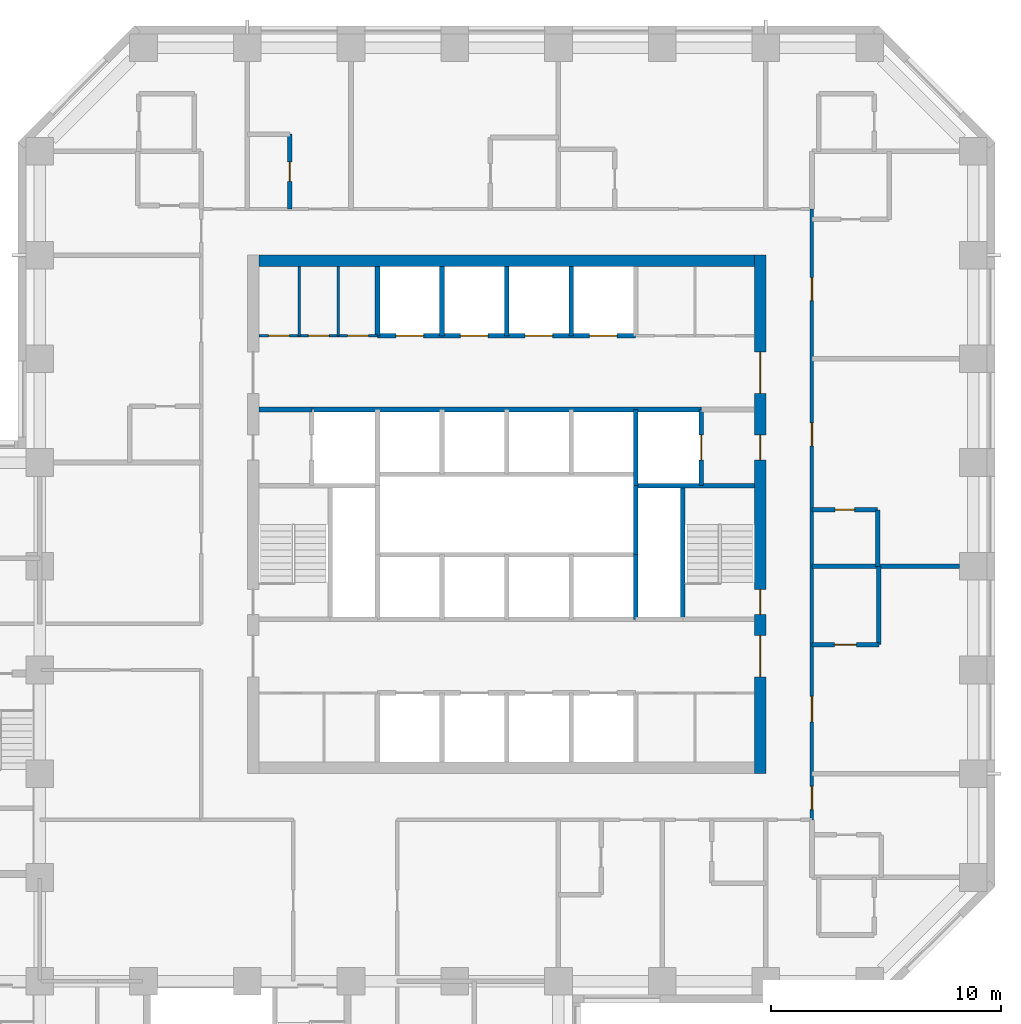
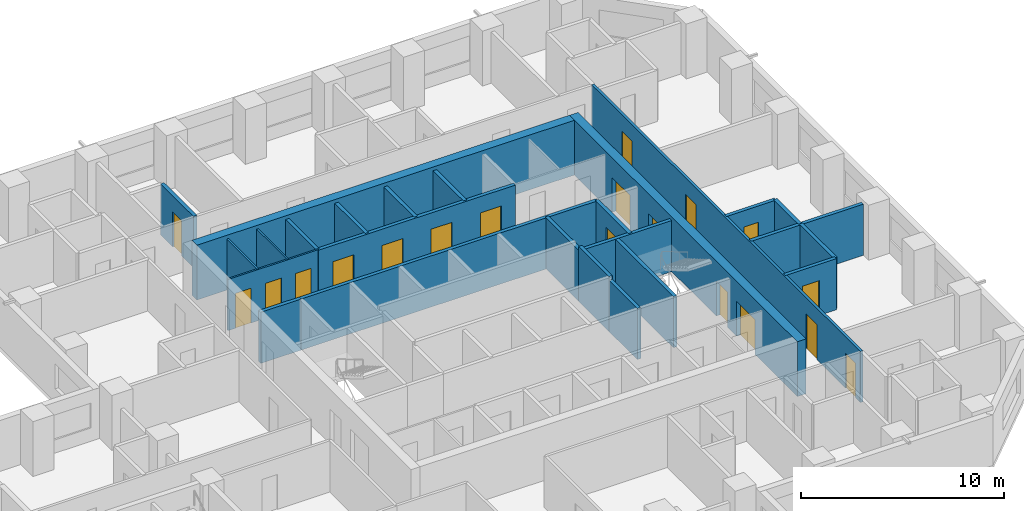
# One storey, part 9 of 13: 25 walls, 19 doors, 19 openings.
"""IFC4 building model written with IfcOpenShell, lengths in metres."""

from ifc_helpers import new_model, si_unit, direction, frame, frame_2d, origin, place, context, subcontext, project, spatial, rectangle, extrude, material, layer, layer_set, type_object, element, fill, save


model = new_model("IFC4")

# Units and contexts
model_context = context("Model", 3, precision=1e-05, world=origin(), true_north=direction((0.0, 1.0)))
body_context = subcontext(model_context, "Body", "Model", "MODEL_VIEW")
ifc_project = project(units=[si_unit("LENGTHUNIT", "METRE"), si_unit("AREAUNIT", "SQUARE_METRE"), si_unit("VOLUMEUNIT", "CUBIC_METRE"), si_unit("PLANEANGLEUNIT", "RADIAN"), si_unit("MASSUNIT", "GRAM", prefix="KILO")], contexts=[model_context])

# Site, building, storey
site_placement = place(None, origin())
site = spatial("IfcSite", under=ifc_project, at=site_placement, CompositionType="ELEMENT")
building_placement = place(site_placement, origin())
building = spatial("IfcBuilding", under=site, at=building_placement, Name="Quoin Convention Tower", CompositionType="ELEMENT")
storey_placement = place(building_placement, frame((0.0, 0.0, 49.5)))
storey = spatial("IfcBuildingStorey", under=building, at=storey_placement, Name="L12", CompositionType="ELEMENT", Elevation=49.5)

# Wall, openings, doors
ifc_material_1 = material(Name="Plasterboard")
ifc_layer_1 = layer(ifc_material_1, 0.012451171875, Name="Finish")
ifc_material_2 = material(Name="Steel stud framing", Category="steel")
ifc_layer_2 = layer(ifc_material_2, 0.074951171875, Name="Structure")
ifc_layer_3 = layer(ifc_material_1, 0.012451171875, Name="Finish")
ifc_layer_set_1 = layer_set([ifc_layer_1, ifc_layer_2, ifc_layer_3], Name="Steel stud framing")
wall_type_1 = type_object("IfcWallType", Name="Core partition wall", PredefinedType="PARTITIONING", material=ifc_layer_set_1)
wall_1_placement = place(storey_placement, frame((45.5, 68.5, 0.0), z_axis=(0.0, 0.0, 1.0), x_axis=(1.0, 0.0, 0.0)))
wall_1 = element("IfcWall", 1, at=wall_1_placement, inside=storey, type_object=wall_type_1, Name="cr-C1-L12-h19000_500", PredefinedType="PARTITIONING", context=body_context, shape_type="SweptSolid", body=[
    extrude(rectangle(XDim=5.14990234375, YDim=0.10009765625, at=frame_2d((2.574951171875, 0.0))), origin(), (0.0, 0.0, 1.0), 3.080078125),
])
opening_1_placement = place(wall_1_placement, frame((0.425537109375, 0.0, 0.0)))
opening_1 = element("IfcOpeningElement", 2, at=opening_1_placement, cuts=wall_1, Name="Opening DCV4-18", PredefinedType="OPENING", context=body_context, shape_type="SweptSolid", body=[
    extrude(rectangle(XDim=0.89990234375, YDim=2.10009765625, at=frame_2d((0.449951171875, 1.050048828125))), frame((0.0, 0.06005859375, 0.0), z_axis=(0.0, -1.0, 0.0), x_axis=(1.0, 0.0, 0.0)), (0.0, 0.0, 1.0), 0.1201171875),
])
opening_2_placement = place(wall_1_placement, frame((2.150634765625, 0.0, 0.0)))
opening_2 = element("IfcOpeningElement", 3, at=opening_2_placement, cuts=wall_1, Name="Opening DCV4-19", PredefinedType="OPENING", context=body_context, shape_type="SweptSolid", body=[
    extrude(rectangle(XDim=0.89990234375, YDim=2.10009765625, at=frame_2d((0.449951171875, 1.050048828125))), frame((0.0, 0.06005859375, 0.0), z_axis=(0.0, -1.0, 0.0), x_axis=(1.0, 0.0, 0.0)), (0.0, 0.0, 1.0), 0.1201171875),
])
opening_3_placement = place(wall_1_placement, frame((3.85009765625, 0.0, 0.0)))
opening_3 = element("IfcOpeningElement", 4, at=opening_3_placement, cuts=wall_1, Name="Opening DCV4-20", PredefinedType="OPENING", context=body_context, shape_type="SweptSolid", body=[
    extrude(rectangle(XDim=0.89990234375, YDim=2.10009765625, at=frame_2d((0.449951171875, 1.050048828125))), frame((0.0, 0.06005859375, 0.0), z_axis=(0.0, -1.0, 0.0), x_axis=(1.0, 0.0, 0.0)), (0.0, 0.0, 1.0), 0.1201171875),
])
ifc_material_3 = material(Name="Steel door leaf", Category="steel")
door_type_1 = type_object("IfcDoorType", Name="Core room door 900 x 2100", OperationType="SINGLE_SWING_LEFT", PredefinedType="DOOR", material=ifc_material_3)
door_1_placement = place(opening_1_placement, origin())
door_1 = element("IfcDoor", 5, at=door_1_placement, inside=storey, type_object=door_type_1, Name="cd-C1-L12-CNW0-lobB-CD1209", OperationType="SINGLE_SWING_RIGHT", OverallHeight=2.10009765625, OverallWidth=0.89990234375, PredefinedType="DOOR", context=body_context, shape_type="SweptSolid", body=[
    extrude(rectangle(XDim=0.89990234375, YDim=2.10009765625, at=frame_2d((0.449951171875, 1.050048828125))), frame((0.0, 0.02490234375, 0.0), z_axis=(0.0, -1.0, 0.0), x_axis=(1.0, 0.0, 0.0)), (0.0, 0.0, 1.0), 0.050048828125),
])
fill(opening_1, door_1)
door_2_placement = place(opening_2_placement, origin())
door_2 = element("IfcDoor", 6, at=door_2_placement, inside=storey, type_object=door_type_1, Name="cd-C1-L12-CNW1-lobB-CD1210", OperationType="SINGLE_SWING_RIGHT", OverallHeight=2.10009765625, OverallWidth=0.89990234375, PredefinedType="DOOR", context=body_context, shape_type="SweptSolid", body=[
    extrude(rectangle(XDim=0.89990234375, YDim=2.10009765625, at=frame_2d((0.449951171875, 1.050048828125))), frame((0.0, 0.02490234375, 0.0), z_axis=(0.0, -1.0, 0.0), x_axis=(1.0, 0.0, 0.0)), (0.0, 0.0, 1.0), 0.050048828125),
])
fill(opening_2, door_2)
door_3_placement = place(opening_3_placement, origin())
door_3 = element("IfcDoor", 7, at=door_3_placement, inside=storey, type_object=door_type_1, Name="cd-C1-L12-CNW2-lobB-CD1211", OperationType="SINGLE_SWING_RIGHT", OverallHeight=2.10009765625, OverallWidth=0.89990234375, PredefinedType="DOOR", context=body_context, shape_type="SweptSolid", body=[
    extrude(rectangle(XDim=0.89990234375, YDim=2.10009765625, at=frame_2d((0.449951171875, 1.050048828125))), frame((0.0, 0.02490234375, 0.0), z_axis=(0.0, -1.0, 0.0), x_axis=(1.0, 0.0, 0.0)), (0.0, 0.0, 1.0), 0.050048828125),
])
fill(opening_3, door_3)

# Walls
for number, where, z_axis, x_axis, name in (
    (8, (47.2509765625, 68.5, 0.0), (0.0, 0.0, 1.0), (0.0, 1.0, 0.0), "cr-C1-L12-v2251_19000"),
    (9, (48.950439453125, 68.5, 0.0), (0.0, 0.0, 1.0), (0.0, 1.0, 0.0), "cr-C1-L12-v3950_19000"),
):
    element("IfcWall", number, at=place(storey_placement, frame(where, z_axis=z_axis, x_axis=x_axis)), inside=storey, type_object=wall_type_1, Name=name, PredefinedType="PARTITIONING", context=body_context, shape_type="SweptSolid", body=[
        extrude(rectangle(XDim=3.0, YDim=0.10009765625, at=frame_2d((1.5, 0.0))), origin(), (0.0, 0.0, 1.0), 3.080078125),
    ])
ifc_material_4 = material(Name="Concrete C50", Category="concrete")
ifc_layer_4 = layer(ifc_material_4, 0.199951171875)
ifc_layer_set_2 = layer_set([ifc_layer_4], Name="Concrete C50")
wall_type_2 = type_object("IfcWallType", Name="Core shaft wall", PredefinedType="SOLIDWALL", material=ifc_layer_set_2)
wall_2_placement = place(storey_placement, frame((61.85009765625, 62.0, 0.0), z_axis=(0.0, 0.0, 1.0), x_axis=(1.0, 0.0, 0.0)))
element("IfcWall", 10, at=wall_2_placement, inside=storey, type_object=wall_type_2, Name="cr-C1-L12-h12500_16850", PredefinedType="SOLIDWALL", context=body_context, shape_type="SweptSolid", body=[
    extrude(rectangle(XDim=5.14990234375, YDim=0.199951171875, at=frame_2d((2.574951171875, 0.0))), origin(), (0.0, 0.0, 1.0), 3.080078125),
])
wall_3_placement = place(storey_placement, frame((45.5, 65.300048828125, 0.0), z_axis=(0.0, 0.0, 1.0), x_axis=(1.0, 0.0, 0.0)))
element("IfcWall", 11, at=wall_3_placement, inside=storey, type_object=wall_type_2, Name="cr-C1-L12-h15800_500", PredefinedType="SOLIDWALL", context=body_context, shape_type="SweptSolid", body=[
    extrude(rectangle(XDim=2.300048828125, YDim=0.199951171875, at=frame_2d((1.14990234375, 0.0))), origin(), (0.0, 0.0, 1.0), 3.080078125),
])
wall_4_placement = place(storey_placement, frame((47.800048828125, 65.300048828125, 0.0), z_axis=(0.0, 0.0, 1.0), x_axis=(1.0, 0.0, 0.0)))
element("IfcWall", 12, at=wall_4_placement, inside=storey, type_object=wall_type_2, Name="cr-C1-L12-h15800_2800", PredefinedType="SOLIDWALL", context=body_context, shape_type="SweptSolid", body=[
    extrude(rectangle(XDim=16.89990234375, YDim=0.199951171875, at=frame_2d((8.449951171875, 0.0))), origin(), (0.0, 0.0, 1.0), 3.080078125),
])

# Wall, openings, doors
wall_5_placement = place(storey_placement, frame((50.64990234375, 68.5, 0.0), z_axis=(0.0, 0.0, 1.0), x_axis=(1.0, 0.0, 0.0)))
wall_5 = element("IfcWall", 13, at=wall_5_placement, inside=storey, type_object=wall_type_2, Name="cr-C1-L12-h19000_5650", PredefinedType="SOLIDWALL", context=body_context, shape_type="SweptSolid", body=[
    extrude(rectangle(XDim=11.2001953125, YDim=0.199951171875, at=frame_2d((5.60009765625, 0.0))), origin(), (0.0, 0.0, 1.0), 3.080078125),
])
opening_4_placement = place(wall_5_placement, frame((0.800048828125, 0.0, 0.0)))
opening_4 = element("IfcOpeningElement", 14, at=opening_4_placement, cuts=wall_5, Name="Opening LDL5", PredefinedType="OPENING", context=body_context, shape_type="SweptSolid", body=[
    extrude(rectangle(XDim=1.199951171875, YDim=2.10009765625, at=frame_2d((0.60009765625, 1.050048828125))), frame((0.0, 0.10986328125, 0.0), z_axis=(0.0, -1.0, 0.0), x_axis=(1.0, 0.0, 0.0)), (0.0, 0.0, 1.0), 0.219970703125),
])
opening_5_placement = place(wall_5_placement, frame((3.60009765625, 0.0, 0.0)))
opening_5 = element("IfcOpeningElement", 15, at=opening_5_placement, cuts=wall_5, Name="Opening LDL6", PredefinedType="OPENING", context=body_context, shape_type="SweptSolid", body=[
    extrude(rectangle(XDim=1.199951171875, YDim=2.10009765625, at=frame_2d((0.60009765625, 1.050048828125))), frame((0.0, 0.10986328125, 0.0), z_axis=(0.0, -1.0, 0.0), x_axis=(1.0, 0.0, 0.0)), (0.0, 0.0, 1.0), 0.219970703125),
])
opening_6_placement = place(wall_5_placement, frame((6.39990234375, 0.0, 0.0)))
opening_6 = element("IfcOpeningElement", 16, at=opening_6_placement, cuts=wall_5, Name="Opening LDL7", PredefinedType="OPENING", context=body_context, shape_type="SweptSolid", body=[
    extrude(rectangle(XDim=1.199951171875, YDim=2.10009765625, at=frame_2d((0.60009765625, 1.050048828125))), frame((0.0, 0.10986328125, 0.0), z_axis=(0.0, -1.0, 0.0), x_axis=(1.0, 0.0, 0.0)), (0.0, 0.0, 1.0), 0.219970703125),
])
opening_7_placement = place(wall_5_placement, frame((9.199951171875, 0.0, 0.0)))
opening_7 = element("IfcOpeningElement", 17, at=opening_7_placement, cuts=wall_5, Name="Opening LDL8", PredefinedType="OPENING", context=body_context, shape_type="SweptSolid", body=[
    extrude(rectangle(XDim=1.199951171875, YDim=2.10009765625, at=frame_2d((0.60009765625, 1.050048828125))), frame((0.0, 0.10986328125, 0.0), z_axis=(0.0, -1.0, 0.0), x_axis=(1.0, 0.0, 0.0)), (0.0, 0.0, 1.0), 0.219970703125),
])
door_type_2 = type_object("IfcDoorType", Name="Lift landing door 1200 x 2100", OperationType="DOUBLE_DOOR_SLIDING", PredefinedType="DOOR", material=ifc_material_3)
door_4_placement = place(opening_4_placement, origin())
door_4 = element("IfcDoor", 18, at=door_4_placement, inside=storey, type_object=door_type_2, Name="cd-C1-L12-R40-lobB-LDL5", OperationType="DOUBLE_DOOR_SLIDING", OverallHeight=2.10009765625, OverallWidth=1.199951171875, PredefinedType="DOOR", context=body_context, shape_type="SweptSolid", body=[
    extrude(rectangle(XDim=1.199951171875, YDim=2.10009765625, at=frame_2d((0.60009765625, 1.050048828125))), frame((0.0, 0.02490234375, 0.0), z_axis=(0.0, -1.0, 0.0), x_axis=(1.0, 0.0, 0.0)), (0.0, 0.0, 1.0), 0.050048828125),
])
fill(opening_4, door_4)
door_5_placement = place(opening_5_placement, origin())
door_5 = element("IfcDoor", 19, at=door_5_placement, inside=storey, type_object=door_type_2, Name="cd-C1-L12-R41-lobB-LDL6", OperationType="DOUBLE_DOOR_SLIDING", OverallHeight=2.10009765625, OverallWidth=1.199951171875, PredefinedType="DOOR", context=body_context, shape_type="SweptSolid", body=[
    extrude(rectangle(XDim=1.199951171875, YDim=2.10009765625, at=frame_2d((0.60009765625, 1.050048828125))), frame((0.0, 0.02490234375, 0.0), z_axis=(0.0, -1.0, 0.0), x_axis=(1.0, 0.0, 0.0)), (0.0, 0.0, 1.0), 0.050048828125),
])
fill(opening_5, door_5)
door_6_placement = place(opening_6_placement, origin())
door_6 = element("IfcDoor", 20, at=door_6_placement, inside=storey, type_object=door_type_2, Name="cd-C1-L12-R42-lobB-LDL7", OperationType="DOUBLE_DOOR_SLIDING", OverallHeight=2.10009765625, OverallWidth=1.199951171875, PredefinedType="DOOR", context=body_context, shape_type="SweptSolid", body=[
    extrude(rectangle(XDim=1.199951171875, YDim=2.10009765625, at=frame_2d((0.60009765625, 1.050048828125))), frame((0.0, 0.02490234375, 0.0), z_axis=(0.0, -1.0, 0.0), x_axis=(1.0, 0.0, 0.0)), (0.0, 0.0, 1.0), 0.050048828125),
])
fill(opening_6, door_6)
door_7_placement = place(opening_7_placement, origin())
door_7 = element("IfcDoor", 21, at=door_7_placement, inside=storey, type_object=door_type_2, Name="cd-C1-L12-R43-lobB-LDL8", OperationType="DOUBLE_DOOR_SLIDING", OverallHeight=2.10009765625, OverallWidth=1.199951171875, PredefinedType="DOOR", context=body_context, shape_type="SweptSolid", body=[
    extrude(rectangle(XDim=1.199951171875, YDim=2.10009765625, at=frame_2d((0.60009765625, 1.050048828125))), frame((0.0, 0.02490234375, 0.0), z_axis=(0.0, -1.0, 0.0), x_axis=(1.0, 0.0, 0.0)), (0.0, 0.0, 1.0), 0.050048828125),
])
fill(opening_7, door_7)

# Walls
for number, where, z_axis, x_axis, name in (
    (22, (50.64990234375, 68.5, 0.0), (0.0, 0.0, 1.0), (0.0, 1.0, 0.0), "cr-C1-L12-v5650_19000"),
    (23, (53.449951171875, 68.5, 0.0), (0.0, 0.0, 1.0), (0.0, 1.0, 0.0), "cr-C1-L12-v8450_19000"),
    (24, (56.25, 68.5, 0.0), (0.0, 0.0, 1.0), (0.0, 1.0, 0.0), "cr-C1-L12-v11250_19000"),
    (25, (59.050048828125, 68.5, 0.0), (0.0, 0.0, 1.0), (0.0, 1.0, 0.0), "cr-C1-L12-v14050_19000"),
):
    element("IfcWall", number, at=place(storey_placement, frame(where, z_axis=z_axis, x_axis=x_axis)), inside=storey, type_object=wall_type_2, Name=name, PredefinedType="SOLIDWALL", context=body_context, shape_type="SweptSolid", body=[
        extrude(rectangle(XDim=3.0, YDim=0.199951171875, at=frame_2d((1.5, 0.0))), origin(), (0.0, 0.0, 1.0), 3.080078125),
    ])
wall_6_placement = place(storey_placement, frame((61.85009765625, 56.199951171875, 0.0), z_axis=(0.0, 0.0, 1.0), x_axis=(0.0, 1.0, 0.0)))
element("IfcWall", 26, at=wall_6_placement, inside=storey, type_object=wall_type_2, Name="cr-C1-L12-v16850_6700", PredefinedType="SOLIDWALL", context=body_context, shape_type="SweptSolid", body=[
    extrude(rectangle(XDim=2.800048828125, YDim=0.199951171875, at=frame_2d((1.39990234375, 0.0))), origin(), (0.0, 0.0, 1.0), 3.080078125),
])
wall_7_placement = place(storey_placement, frame((61.85009765625, 62.0, 0.0), z_axis=(0.0, 0.0, 1.0), x_axis=(0.0, 1.0, 0.0)))
element("IfcWall", 27, at=wall_7_placement, inside=storey, type_object=wall_type_2, Name="cr-C1-L12-v16850_12500", PredefinedType="SOLIDWALL", context=body_context, shape_type="SweptSolid", body=[
    extrude(rectangle(XDim=3.300048828125, YDim=0.199951171875, at=frame_2d((1.64990234375, 0.0))), origin(), (0.0, 0.0, 1.0), 3.080078125),
])
wall_8_placement = place(storey_placement, frame((63.89990234375, 56.199951171875, 0.0), z_axis=(0.0, 0.0, 1.0), x_axis=(0.0, 1.0, 0.0)))
element("IfcWall", 28, at=wall_8_placement, inside=storey, type_object=wall_type_2, Name="cr-C1-L12-v18900_6700", PredefinedType="SOLIDWALL", context=body_context, shape_type="SweptSolid", body=[
    extrude(rectangle(XDim=5.800048828125, YDim=0.199951171875, at=frame_2d((2.89990234375, 0.0))), origin(), (0.0, 0.0, 1.0), 3.080078125),
])

# Wall, opening, door
wall_9_placement = place(storey_placement, frame((64.699951171875, 62.0, 0.0), z_axis=(0.0, 0.0, 1.0), x_axis=(0.0, 1.0, 0.0)))
wall_9 = element("IfcWall", 29, at=wall_9_placement, inside=storey, type_object=wall_type_2, Name="cr-C1-L12-v19700_12500", PredefinedType="SOLIDWALL", context=body_context, shape_type="SweptSolid", body=[
    extrude(rectangle(XDim=3.300048828125, YDim=0.199951171875, at=frame_2d((1.64990234375, 0.0))), origin(), (0.0, 0.0, 1.0), 3.080078125),
])
opening_8_placement = place(wall_9_placement, frame((1.10009765625, 0.0, 0.0)))
opening_8 = element("IfcOpeningElement", 30, at=opening_8_placement, cuts=wall_9, Name="Opening LDFL2", PredefinedType="OPENING", context=body_context, shape_type="SweptSolid", body=[
    extrude(rectangle(XDim=1.10009765625, YDim=2.10009765625, at=frame_2d((0.550048828125, 1.050048828125))), frame((0.0, 0.10986328125, 0.0), z_axis=(0.0, -1.0, 0.0), x_axis=(1.0, 0.0, 0.0)), (0.0, 0.0, 1.0), 0.219970703125),
])
door_type_3 = type_object("IfcDoorType", Name="Lift landing door 1100 x 2100", OperationType="DOUBLE_DOOR_SLIDING", PredefinedType="DOOR", material=ifc_material_3)
door_8_placement = place(opening_8_placement, origin())
door_8 = element("IfcDoor", 31, at=door_8_placement, inside=storey, type_object=door_type_3, Name="cd-C1-L12-FLE-FFE-LDFL2", OperationType="DOUBLE_DOOR_SLIDING", OverallHeight=2.10009765625, OverallWidth=1.10009765625, PredefinedType="DOOR", context=body_context, shape_type="SweptSolid", body=[
    extrude(rectangle(XDim=1.10009765625, YDim=2.10009765625, at=frame_2d((0.550048828125, 1.050048828125))), frame((0.0, 0.02490234375, 0.0), z_axis=(0.0, -1.0, 0.0), x_axis=(1.0, 0.0, 0.0)), (0.0, 0.0, 1.0), 0.050048828125),
])
fill(opening_8, door_8)

# Walls
ifc_layer_5 = layer(ifc_material_4, 0.199951171875)
ifc_layer_set_3 = layer_set([ifc_layer_5], Name="Concrete C50")
wall_type_3 = type_object("IfcWallType", Name="Core shaft wall to the floor level over", PredefinedType="SOLIDWALL", material=ifc_layer_set_3)
wall_10_placement = place(storey_placement, frame((61.85009765625, 59.0, 0.0), z_axis=(0.0, 0.0, 1.0), x_axis=(0.0, 1.0, 0.0)))
element("IfcWall", 32, at=wall_10_placement, inside=storey, type_object=wall_type_3, Name="cr-C1-L12-v16850_9500", PredefinedType="SOLIDWALL", context=body_context, shape_type="SweptSolid", body=[
    extrude(rectangle(XDim=3.0, YDim=0.199951171875, at=frame_2d((1.5, 0.0))), origin(), (0.0, 0.0, 1.0), 3.300048828125),
])
ifc_material_5 = material(Name="Concrete C80", Category="concrete")
ifc_layer_6 = layer(ifc_material_5, 0.5)
ifc_layer_set_4 = layer_set([ifc_layer_6], Name="Concrete C80")
wall_type_4 = type_object("IfcWallType", Name="RC CORE WALL 500 C80", PredefinedType="SHEAR", material=ifc_layer_set_4)
wall_11_placement = place(storey_placement, frame((45.5, 71.75, 0.0), z_axis=(0.0, 0.0, 1.0), x_axis=(1.0, 0.0, 0.0)))
element("IfcWall", 33, at=wall_11_placement, inside=storey, type_object=wall_type_4, Name="cwl-C1-L12-N", PredefinedType="SHEAR", context=body_context, shape_type="SweptSolid", body=[
    extrude(rectangle(XDim=21.5, YDim=0.5, at=frame_2d((10.75, 0.0))), origin(), (0.0, 0.0, 1.0), 3.300048828125),
])

# Wall, openings, doors
wall_12_placement = place(storey_placement, frame((67.25, 49.5, 0.0), z_axis=(0.0, 0.0, 1.0), x_axis=(0.0, 1.0, 0.0)))
wall_12 = element("IfcWall", 34, at=wall_12_placement, inside=storey, type_object=wall_type_4, Name="cwl-C1-L12-E", PredefinedType="SHEAR", context=body_context, shape_type="SweptSolid", body=[
    extrude(rectangle(XDim=22.5, YDim=0.5, at=frame_2d((11.25, 0.0))), origin(), (0.0, 0.0, 1.0), 3.300048828125),
])
opening_9_placement = place(wall_12_placement, frame((4.199951171875, 0.0, 0.0)))
opening_9 = element("IfcOpeningElement", 35, at=opening_9_placement, cuts=wall_12, Name="Opening DCV4-39", PredefinedType="OPENING", context=body_context, shape_type="SweptSolid", body=[
    extrude(rectangle(XDim=1.800048828125, YDim=2.10009765625, at=frame_2d((0.89990234375, 1.050048828125))), frame((0.0, 0.260009765625, 0.0), z_axis=(0.0, -1.0, 0.0), x_axis=(1.0, 0.0, 0.0)), (0.0, 0.0, 1.0), 0.52001953125),
])
opening_10_placement = place(wall_12_placement, frame((6.89990234375, 0.0, 0.0)))
opening_10 = element("IfcOpeningElement", 36, at=opening_10_placement, cuts=wall_12, Name="Opening SD2", PredefinedType="OPENING", context=body_context, shape_type="SweptSolid", body=[
    extrude(rectangle(XDim=1.10009765625, YDim=2.10009765625, at=frame_2d((0.550048828125, 1.050048828125))), frame((0.0, 0.260009765625, 0.0), z_axis=(0.0, -1.0, 0.0), x_axis=(1.0, 0.0, 0.0)), (0.0, 0.0, 1.0), 0.52001953125),
])
opening_11_placement = place(wall_12_placement, frame((13.60009765625, 0.0, 0.0)))
opening_11 = element("IfcOpeningElement", 37, at=opening_11_placement, cuts=wall_12, Name="Opening DCV4-38", PredefinedType="OPENING", context=body_context, shape_type="SweptSolid", body=[
    extrude(rectangle(XDim=1.10009765625, YDim=2.10009765625, at=frame_2d((0.550048828125, 1.050048828125))), frame((0.0, 0.260009765625, 0.0), z_axis=(0.0, -1.0, 0.0), x_axis=(1.0, 0.0, 0.0)), (0.0, 0.0, 1.0), 0.52001953125),
])
opening_12_placement = place(wall_12_placement, frame((16.5, 0.0, 0.0)))
opening_12 = element("IfcOpeningElement", 38, at=opening_12_placement, cuts=wall_12, Name="Opening DCV4-39", PredefinedType="OPENING", context=body_context, shape_type="SweptSolid", body=[
    extrude(rectangle(XDim=1.800048828125, YDim=2.10009765625, at=frame_2d((0.89990234375, 1.050048828125))), frame((0.0, 0.260009765625, 0.0), z_axis=(0.0, -1.0, 0.0), x_axis=(1.0, 0.0, 0.0)), (0.0, 0.0, 1.0), 0.52001953125),
])
door_type_4 = type_object("IfcDoorType", Name="Fire-fighting lobby door 1100 x 2100", OperationType="SINGLE_SWING_LEFT", PredefinedType="DOOR", material=ifc_material_3)
door_9_placement = place(opening_11_placement, origin())
door_9 = element("IfcDoor", 39, at=door_9_placement, inside=storey, type_object=door_type_4, Name="cd-C1-L12-FFE-E", OperationType="SINGLE_SWING_RIGHT", OverallHeight=2.10009765625, OverallWidth=1.10009765625, PredefinedType="DOOR", context=body_context, shape_type="SweptSolid", body=[
    extrude(rectangle(XDim=1.10009765625, YDim=2.10009765625, at=frame_2d((0.550048828125, 1.050048828125))), frame((0.0, 0.02490234375, 0.0), z_axis=(0.0, -1.0, 0.0), x_axis=(1.0, 0.0, 0.0)), (0.0, 0.0, 1.0), 0.050048828125),
])
fill(opening_11, door_9)
door_type_5 = type_object("IfcDoorType", Name="Lift lobby door 1800 x 2100", OperationType="SINGLE_SWING_LEFT", PredefinedType="DOOR", material=ifc_material_3)
door_10_placement = place(opening_9_placement, origin())
door_10 = element("IfcDoor", 40, at=door_10_placement, inside=storey, type_object=door_type_5, Name="cd-C1-L12-lobA-E", OperationType="SINGLE_SWING_RIGHT", OverallHeight=2.10009765625, OverallWidth=1.800048828125, PredefinedType="DOOR", context=body_context, shape_type="SweptSolid", body=[
    extrude(rectangle(XDim=1.800048828125, YDim=2.10009765625, at=frame_2d((0.89990234375, 1.050048828125))), frame((0.0, 0.02490234375, 0.0), z_axis=(0.0, -1.0, 0.0), x_axis=(1.0, 0.0, 0.0)), (0.0, 0.0, 1.0), 0.050048828125),
])
fill(opening_9, door_10)
door_11_placement = place(opening_12_placement, origin())
door_11 = element("IfcDoor", 41, at=door_11_placement, inside=storey, type_object=door_type_5, Name="cd-C1-L12-lobB-E", OperationType="SINGLE_SWING_RIGHT", OverallHeight=2.10009765625, OverallWidth=1.800048828125, PredefinedType="DOOR", context=body_context, shape_type="SweptSolid", body=[
    extrude(rectangle(XDim=1.800048828125, YDim=2.10009765625, at=frame_2d((0.89990234375, 1.050048828125))), frame((0.0, 0.02490234375, 0.0), z_axis=(0.0, -1.0, 0.0), x_axis=(1.0, 0.0, 0.0)), (0.0, 0.0, 1.0), 0.050048828125),
])
fill(opening_12, door_11)
door_type_6 = type_object("IfcDoorType", Name="Stair door 1100 x 2100", OperationType="SINGLE_SWING_RIGHT", PredefinedType="DOOR", material=ifc_material_3)
door_12_placement = place(opening_10_placement, origin())
door_12 = element("IfcDoor", 42, at=door_12_placement, inside=storey, type_object=door_type_6, Name="cd-C1-L12-STE-E", OperationType="SINGLE_SWING_LEFT", OverallHeight=2.10009765625, OverallWidth=1.10009765625, PredefinedType="DOOR", context=body_context, shape_type="SweptSolid", body=[
    extrude(rectangle(XDim=1.10009765625, YDim=2.10009765625, at=frame_2d((0.550048828125, 1.050048828125))), frame((0.0, 0.02490234375, 0.0), z_axis=(0.0, -1.0, 0.0), x_axis=(1.0, 0.0, 0.0)), (0.0, 0.0, 1.0), 0.050048828125),
])
fill(opening_10, door_12)

# Wall, opening, door
ifc_layer_7 = layer(ifc_material_4, 0.199951171875)
ifc_layer_set_5 = layer_set([ifc_layer_7], Name="Concrete C50")
wall_type_5 = type_object("IfcWallType", Name="RC party wall", PredefinedType="SOLIDWALL", material=ifc_layer_set_5)
wall_13_placement = place(storey_placement, frame((69.5, 55.10009765625, 0.0), z_axis=(0.0, 0.0, 1.0), x_axis=(1.0, 0.0, 0.0)))
wall_13 = element("IfcWall", 43, at=wall_13_placement, inside=storey, type_object=wall_type_5, Name="pw-L12-097", PredefinedType="SOLIDWALL", context=body_context, shape_type="SweptSolid", body=[
    extrude(rectangle(XDim=2.89990234375, YDim=0.199951171875, at=frame_2d((1.449951171875, 0.0))), origin(), (0.0, 0.0, 1.0), 3.080078125),
])
opening_13_placement = place(wall_13_placement, frame((0.97509765625, 0.0, 0.0)))
opening_13 = element("IfcOpeningElement", 44, at=opening_13_placement, cuts=wall_13, Name="Opening DHOTEL-A-56", PredefinedType="OPENING", context=body_context, shape_type="SweptSolid", body=[
    extrude(rectangle(XDim=0.949951171875, YDim=2.10009765625, at=frame_2d((0.47509765625, 1.050048828125))), frame((0.0, 0.10986328125, 0.0), z_axis=(0.0, -1.0, 0.0), x_axis=(1.0, 0.0, 0.0)), (0.0, 0.0, 1.0), 0.219970703125),
])
door_type_7 = type_object("IfcDoorType", Name="Accessible bathroom door", OperationType="SINGLE_SWING_LEFT", PredefinedType="DOOR", material=ifc_material_3)
door_13_placement = place(opening_13_placement, frame((0.949951171875, 0.0, 0.0), z_axis=(0.0, 0.0, 1.0), x_axis=(-1.0, 0.0, 0.0)))
door_13 = element("IfcDoor", 45, at=door_13_placement, inside=storey, type_object=door_type_7, Name="dr-L12-046", OperationType="SINGLE_SWING_RIGHT", OverallHeight=2.10009765625, OverallWidth=0.949951171875, PredefinedType="DOOR", context=body_context, shape_type="SweptSolid", body=[
    extrude(rectangle(XDim=0.949951171875, YDim=2.10009765625, at=frame_2d((0.47509765625, 1.050048828125))), frame((0.0, 0.02490234375, 0.0), z_axis=(0.0, -1.0, 0.0), x_axis=(1.0, 0.0, 0.0)), (0.0, 0.0, 1.0), 0.050048828125),
])
fill(opening_13, door_13)

# Walls
wall_14_placement = place(storey_placement, frame((72.39990234375, 55.10009765625, 0.0), z_axis=(0.0, 0.0, 1.0), x_axis=(0.0, 1.0, 0.0)))
element("IfcWall", 46, at=wall_14_placement, inside=storey, type_object=wall_type_5, Name="pw-L12-098", PredefinedType="SOLIDWALL", context=body_context, shape_type="SweptSolid", body=[
    extrude(rectangle(XDim=3.39990234375, YDim=0.199951171875, at=frame_2d((1.699951171875, 0.0))), origin(), (0.0, 0.0, 1.0), 3.080078125),
])
wall_15_placement = place(storey_placement, frame((69.5, 58.5, 0.0), z_axis=(0.0, 0.0, 1.0), x_axis=(1.0, 0.0, 0.0)))
element("IfcWall", 47, at=wall_15_placement, inside=storey, type_object=wall_type_5, Name="pw-L12-110", PredefinedType="SOLIDWALL", context=body_context, shape_type="SweptSolid", body=[
    extrude(rectangle(XDim=6.39990234375, YDim=0.199951171875, at=frame_2d((3.199951171875, 0.0))), origin(), (0.0, 0.0, 1.0), 3.080078125),
])
wall_16_placement = place(storey_placement, frame((72.35009765625, 58.5, 0.0), z_axis=(0.0, 0.0, 1.0), x_axis=(0.0, 1.0, 0.0)))
element("IfcWall", 48, at=wall_16_placement, inside=storey, type_object=wall_type_5, Name="pw-L12-111", PredefinedType="SOLIDWALL", context=body_context, shape_type="SweptSolid", body=[
    extrude(rectangle(XDim=2.449951171875, YDim=0.199951171875, at=frame_2d((1.22509765625, 0.0))), origin(), (0.0, 0.0, 1.0), 3.080078125),
])

# Wall, opening, door
wall_17_placement = place(storey_placement, frame((69.5, 60.949951171875, 0.0), z_axis=(0.0, 0.0, 1.0), x_axis=(1.0, 0.0, 0.0)))
wall_17 = element("IfcWall", 49, at=wall_17_placement, inside=storey, type_object=wall_type_5, Name="pw-L12-113", PredefinedType="SOLIDWALL", context=body_context, shape_type="SweptSolid", body=[
    extrude(rectangle(XDim=2.85009765625, YDim=0.199951171875, at=frame_2d((1.425048828125, 0.0))), origin(), (0.0, 0.0, 1.0), 3.080078125),
])
opening_14_placement = place(wall_17_placement, frame((1.0, 0.0, 0.0)))
opening_14 = element("IfcOpeningElement", 50, at=opening_14_placement, cuts=wall_17, Name="Opening DHOTEL-A-58", PredefinedType="OPENING", context=body_context, shape_type="SweptSolid", body=[
    extrude(rectangle(XDim=0.85009765625, YDim=2.10009765625, at=frame_2d((0.425048828125, 1.050048828125))), frame((0.0, 0.10986328125, 0.0), z_axis=(0.0, -1.0, 0.0), x_axis=(1.0, 0.0, 0.0)), (0.0, 0.0, 1.0), 0.219970703125),
])
door_type_8 = type_object("IfcDoorType", Name="Bathroom door", OperationType="SINGLE_SWING_LEFT", PredefinedType="DOOR", material=ifc_material_3)
door_14_placement = place(opening_14_placement, origin())
door_14 = element("IfcDoor", 51, at=door_14_placement, inside=storey, type_object=door_type_8, Name="dr-L12-044", OperationType="SINGLE_SWING_LEFT", OverallHeight=2.10009765625, OverallWidth=0.85009765625, PredefinedType="DOOR", context=body_context, shape_type="SweptSolid", body=[
    extrude(rectangle(XDim=0.85009765625, YDim=2.10009765625, at=frame_2d((0.425048828125, 1.050048828125))), frame((0.0, 0.02490234375, 0.0), z_axis=(0.0, -1.0, 0.0), x_axis=(1.0, 0.0, 0.0)), (0.0, 0.0, 1.0), 0.050048828125),
])
fill(opening_14, door_14)

wall_18_placement = place(storey_placement, frame((46.85009765625, 74.0, 0.0), z_axis=(0.0, 0.0, 1.0), x_axis=(0.0, 1.0, 0.0)))
wall_18 = element("IfcWall", 52, at=wall_18_placement, inside=storey, type_object=wall_type_5, Name="pw-L12-123", PredefinedType="SOLIDWALL", context=body_context, shape_type="SweptSolid", body=[
    extrude(rectangle(XDim=3.25, YDim=0.199951171875, at=frame_2d((1.625, 0.0))), origin(), (0.0, 0.0, 1.0), 3.080078125),
])
opening_15_placement = place(wall_18_placement, frame((1.199951171875, 0.0, 0.0)))
opening_15 = element("IfcOpeningElement", 53, at=opening_15_placement, cuts=wall_18, Name="Opening DHOTEL-A-61", PredefinedType="OPENING", context=body_context, shape_type="SweptSolid", body=[
    extrude(rectangle(XDim=0.85009765625, YDim=2.10009765625, at=frame_2d((0.425048828125, 1.050048828125))), frame((0.0, 0.10986328125, 0.0), z_axis=(0.0, -1.0, 0.0), x_axis=(1.0, 0.0, 0.0)), (0.0, 0.0, 1.0), 0.219970703125),
])
door_15_placement = place(opening_15_placement, frame((0.85009765625, 0.0, 0.0), z_axis=(0.0, 0.0, 1.0), x_axis=(-1.0, 0.0, 0.0)))
door_15 = element("IfcDoor", 54, at=door_15_placement, inside=storey, type_object=door_type_8, Name="dr-L12-036", OperationType="SINGLE_SWING_RIGHT", OverallHeight=2.10009765625, OverallWidth=0.85009765625, PredefinedType="DOOR", context=body_context, shape_type="SweptSolid", body=[
    extrude(rectangle(XDim=0.85009765625, YDim=2.10009765625, at=frame_2d((0.425048828125, 1.050048828125))), frame((0.0, 0.02490234375, 0.0), z_axis=(0.0, -1.0, 0.0), x_axis=(1.0, 0.0, 0.0)), (0.0, 0.0, 1.0), 0.050048828125),
])
fill(opening_15, door_15)

# Wall, openings, doors
ifc_layer_8 = layer(ifc_material_1, 0.012451171875, Name="Finish")
ifc_layer_9 = layer(ifc_material_2, 0.125, Name="Structure")
ifc_layer_10 = layer(ifc_material_1, 0.012451171875, Name="Finish")
ifc_layer_set_6 = layer_set([ifc_layer_8, ifc_layer_9, ifc_layer_10], Name="Steel stud framing")
wall_type_6 = type_object("IfcWallType", Name="corridor partition", PredefinedType="PARTITIONING", material=ifc_layer_set_6)
wall_19_placement = place(storey_placement, frame((69.5, 47.5, 0.0), z_axis=(0.0, 0.0, 1.0), x_axis=(0.0, 1.0, 0.0)))
wall_19 = element("IfcWall", 55, at=wall_19_placement, inside=storey, type_object=wall_type_6, Name="pw-L12-031", PredefinedType="PARTITIONING", context=body_context, shape_type="SweptSolid", body=[
    extrude(rectangle(XDim=26.5, YDim=0.14990234375, at=frame_2d((13.25, 0.0))), origin(), (0.0, 0.0, 1.0), 3.080078125),
])
opening_16_placement = place(wall_19_placement, frame((22.52490234375, 0.0, 0.0)))
opening_16 = element("IfcOpeningElement", 56, at=opening_16_placement, cuts=wall_19, Name="Opening DHOTEL-A-28", PredefinedType="OPENING", context=body_context, shape_type="SweptSolid", body=[
    extrude(rectangle(XDim=1.0, YDim=2.10009765625, at=frame_2d((0.5, 1.050048828125))), frame((0.0, 0.0849609375, 0.0), z_axis=(0.0, -1.0, 0.0), x_axis=(1.0, 0.0, 0.0)), (0.0, 0.0, 1.0), 0.169921875),
])
opening_17_placement = place(wall_19_placement, frame((16.22509765625, 0.0, 0.0)))
opening_17 = element("IfcOpeningElement", 57, at=opening_17_placement, cuts=wall_19, Name="Opening DHOTEL-A-27", PredefinedType="OPENING", context=body_context, shape_type="SweptSolid", body=[
    extrude(rectangle(XDim=1.0, YDim=2.10009765625, at=frame_2d((0.5, 1.050048828125))), frame((0.0, 0.0849609375, 0.0), z_axis=(0.0, -1.0, 0.0), x_axis=(1.0, 0.0, 0.0)), (0.0, 0.0, 1.0), 0.169921875),
])
opening_18_placement = place(wall_19_placement, frame((4.25, 0.0, 0.0)))
opening_18 = element("IfcOpeningElement", 58, at=opening_18_placement, cuts=wall_19, Name="Opening DHOTEL-A-26", PredefinedType="OPENING", context=body_context, shape_type="SweptSolid", body=[
    extrude(rectangle(XDim=1.10009765625, YDim=2.10009765625, at=frame_2d((0.550048828125, 1.050048828125))), frame((0.0, 0.0849609375, 0.0), z_axis=(0.0, -1.0, 0.0), x_axis=(1.0, 0.0, 0.0)), (0.0, 0.0, 1.0), 0.169921875),
])
opening_19_placement = place(wall_19_placement, frame((0.447021484375, 0.0, 0.0)))
opening_19 = element("IfcOpeningElement", 59, at=opening_19_placement, cuts=wall_19, Name="Opening DHOTEL-A-25", PredefinedType="OPENING", context=body_context, shape_type="SweptSolid", body=[
    extrude(rectangle(XDim=1.0, YDim=2.10009765625, at=frame_2d((0.5, 1.050048828125))), frame((0.0, 0.0849609375, 0.0), z_axis=(0.0, -1.0, 0.0), x_axis=(1.0, 0.0, 0.0)), (0.0, 0.0, 1.0), 0.169921875),
])
door_type_9 = type_object("IfcDoorType", Name="Accessible room door", OperationType="SINGLE_SWING_LEFT", PredefinedType="DOOR", material=ifc_material_3)
door_16_placement = place(opening_18_placement, frame((1.10009765625, 0.0, 0.0), z_axis=(0.0, 0.0, 1.0), x_axis=(-1.0, 0.0, 0.0)))
door_16 = element("IfcDoor", 60, at=door_16_placement, inside=storey, type_object=door_type_9, Name="dr-L12-045", OperationType="SINGLE_SWING_LEFT", OverallHeight=2.10009765625, OverallWidth=1.10009765625, PredefinedType="DOOR", context=body_context, shape_type="SweptSolid", body=[
    extrude(rectangle(XDim=1.10009765625, YDim=2.10009765625, at=frame_2d((0.550048828125, 1.050048828125))), frame((0.0, 0.02490234375, 0.0), z_axis=(0.0, -1.0, 0.0), x_axis=(1.0, 0.0, 0.0)), (0.0, 0.0, 1.0), 0.050048828125),
])
fill(opening_18, door_16)
door_type_10 = type_object("IfcDoorType", Name="Hotel room door", OperationType="SINGLE_SWING_LEFT", PredefinedType="DOOR", material=ifc_material_3)
door_17_placement = place(opening_16_placement, frame((1.0, 0.0, 0.0), z_axis=(0.0, 0.0, 1.0), x_axis=(-1.0, 0.0, 0.0)))
door_17 = element("IfcDoor", 61, at=door_17_placement, inside=storey, type_object=door_type_10, Name="dr-L12-041", OperationType="SINGLE_SWING_LEFT", OverallHeight=2.10009765625, OverallWidth=1.0, PredefinedType="DOOR", context=body_context, shape_type="SweptSolid", body=[
    extrude(rectangle(XDim=1.0, YDim=2.10009765625, at=frame_2d((0.5, 1.050048828125))), frame((0.0, 0.02490234375, 0.0), z_axis=(0.0, -1.0, 0.0), x_axis=(1.0, 0.0, 0.0)), (0.0, 0.0, 1.0), 0.050048828125),
])
fill(opening_16, door_17)
door_18_placement = place(opening_17_placement, frame((1.0, 0.0, 0.0), z_axis=(0.0, 0.0, 1.0), x_axis=(-1.0, 0.0, 0.0)))
door_18 = element("IfcDoor", 62, at=door_18_placement, inside=storey, type_object=door_type_10, Name="dr-L12-043", OperationType="SINGLE_SWING_LEFT", OverallHeight=2.10009765625, OverallWidth=1.0, PredefinedType="DOOR", context=body_context, shape_type="SweptSolid", body=[
    extrude(rectangle(XDim=1.0, YDim=2.10009765625, at=frame_2d((0.5, 1.050048828125))), frame((0.0, 0.02490234375, 0.0), z_axis=(0.0, -1.0, 0.0), x_axis=(1.0, 0.0, 0.0)), (0.0, 0.0, 1.0), 0.050048828125),
])
fill(opening_17, door_18)
door_19_placement = place(opening_19_placement, frame((1.0, 0.0, 0.0), z_axis=(0.0, 0.0, 1.0), x_axis=(-1.0, 0.0, 0.0)))
door_19 = element("IfcDoor", 63, at=door_19_placement, inside=storey, type_object=door_type_10, Name="dr-L12-047", OperationType="SINGLE_SWING_LEFT", OverallHeight=2.10009765625, OverallWidth=1.0, PredefinedType="DOOR", context=body_context, shape_type="SweptSolid", body=[
    extrude(rectangle(XDim=1.0, YDim=2.10009765625, at=frame_2d((0.5, 1.050048828125))), frame((0.0, 0.02490234375, 0.0), z_axis=(0.0, -1.0, 0.0), x_axis=(1.0, 0.0, 0.0)), (0.0, 0.0, 1.0), 0.050048828125),
])
fill(opening_19, door_19)

save(model, "model.ifc")
